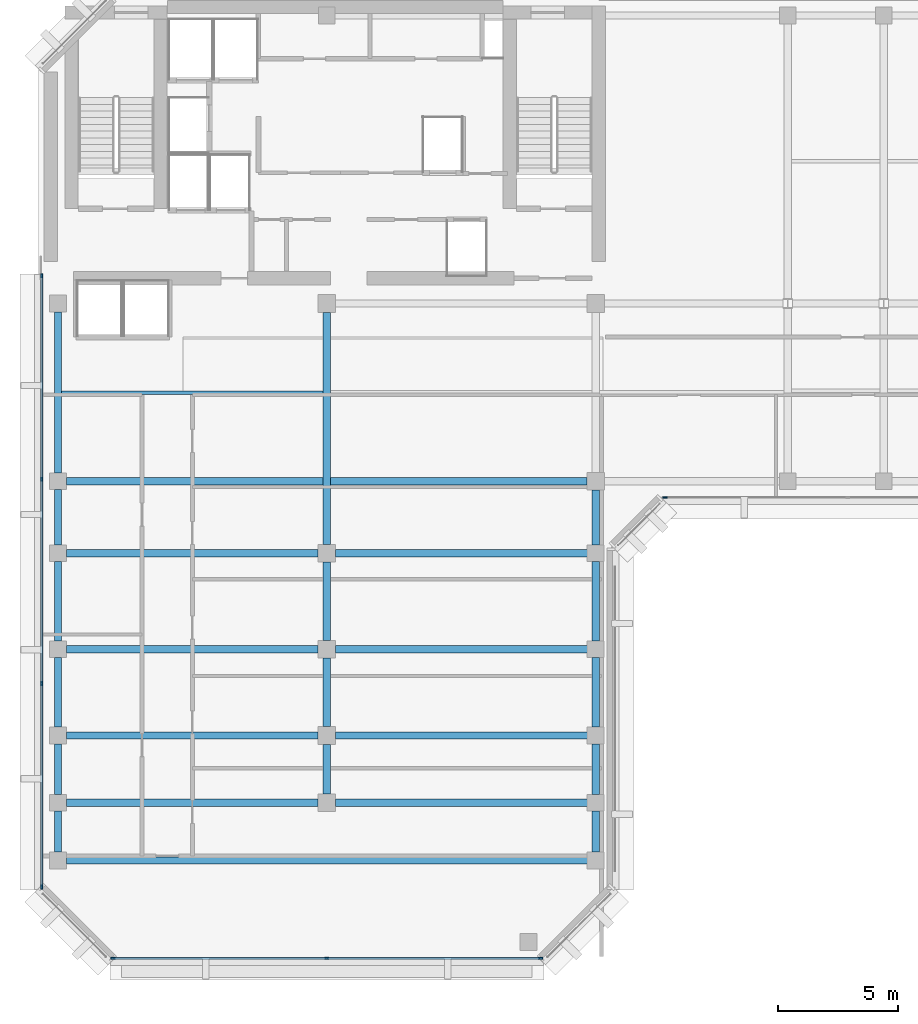
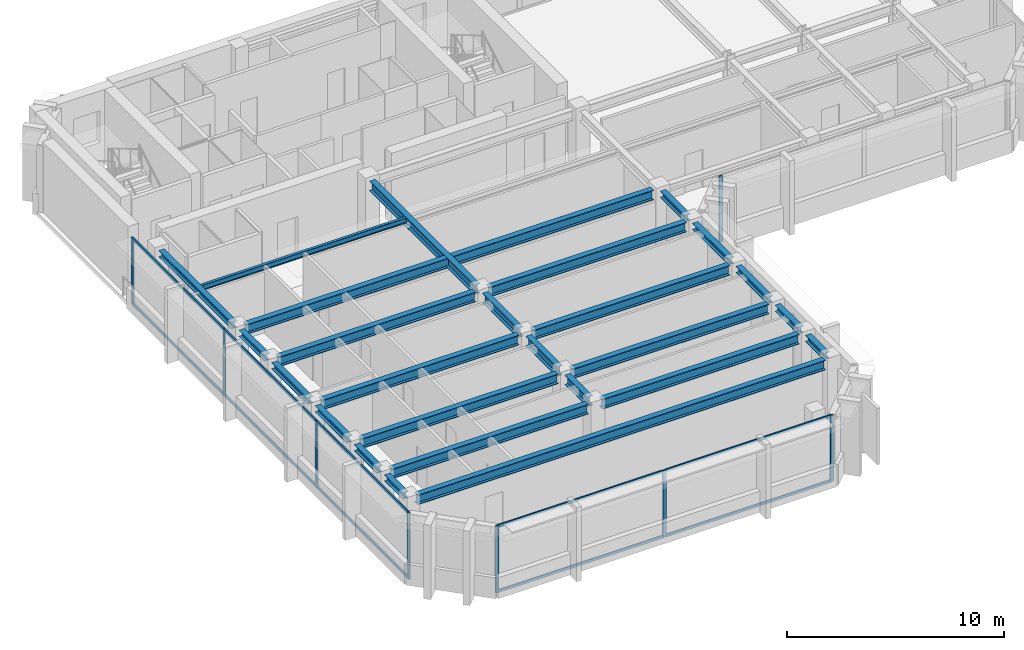
# One storey, part 2 of 11: 26 beams, 18 members, 3 elements without a shape of their own.
"""IFC4 building model written with IfcOpenShell, lengths in metres."""

from ifc_helpers import new_model, si_unit, direction, frame, origin, origin_2d, place, context, subcontext, project, spatial, rectangle, i_section, extrude, material, layer, layer_set, material_profile, profile_set, type_object, element, aggregate, save


model = new_model("IFC4")

# Units and contexts
model_context = context("Model", 3, precision=1e-05, world=origin(), true_north=direction((0.0, 1.0)))
body_context = subcontext(model_context, "Body", "Model", "MODEL_VIEW")
ifc_project = project(units=[si_unit("LENGTHUNIT", "METRE"), si_unit("AREAUNIT", "SQUARE_METRE"), si_unit("VOLUMEUNIT", "CUBIC_METRE"), si_unit("PLANEANGLEUNIT", "RADIAN"), si_unit("MASSUNIT", "GRAM", prefix="KILO")], contexts=[model_context])

# Site, building, storey
site_placement = place(None, origin())
site = spatial("IfcSite", under=ifc_project, at=site_placement, CompositionType="ELEMENT")
building_placement = place(site_placement, origin())
building = spatial("IfcBuilding", under=site, at=building_placement, Name="Kefirva Bronze Tower", CompositionType="ELEMENT")
storey_placement = place(building_placement, frame((0.0, 0.0, 331.64990234375)))
storey = spatial("IfcBuildingStorey", under=building, at=storey_placement, Name="L81", CompositionType="ELEMENT", Elevation=331.64990234375)

# Curtain wall, members
ifc_material_1 = material(Name="Bronze anodised aluminium", Category="aluminium")
ifc_layer = layer(ifc_material_1, 0.179931640625, Name="Bronze anodised aluminium")
ifc_layer_set = layer_set([ifc_layer], Name="Bronze anodised aluminium")
curtain_wall_type = type_object("IfcCurtainWallType", Name="Unitised Bronze Ribbon Curtain Wall Zone 4", PredefinedType="USERDEFINED", material=ifc_layer_set)
curtain_wall_1_placement = place(storey_placement, origin())
curtain_wall_1 = element("IfcCurtainWall", 1, at=curtain_wall_1_placement, inside=storey, type_object=curtain_wall_type, Name="L81 Curtain Wall 1", ObjectType="UNITISED CURTAIN WALL", PredefinedType="USERDEFINED")
ifc_material_profile_1 = material_profile(ifc_material_1, rectangle(XDim=0.074951171875, YDim=0.179931640625, at=origin_2d()), Name="ALU 75x180")
ifc_profile_set_1 = profile_set([ifc_material_profile_1], Name="Bronze anodised aluminium")
member_type_1 = type_object("IfcMemberType", Name="Bronze Mullion 75x180", PredefinedType="MULLION", material=ifc_profile_set_1)
member_1_placement = place(storey_placement, frame((3.092529296875, 5.919921875, 0.0), z_axis=(0.0, 0.0, 1.0), x_axis=(0.0, 1.0, 0.0)))
member_1 = element("IfcMember", 2, at=member_1_placement, type_object=member_type_1, Name="CW-04 mullion 1", PredefinedType="MULLION", context=body_context, shape_type="SweptSolid", body=[
    extrude(rectangle(XDim=0.074951171875, YDim=0.179931640625, at=origin_2d()), origin(), (0.0, 0.0, 1.0), 3.739990234375),
])
member_2_placement = place(storey_placement, frame((12.0, 5.919921875, 0.0), z_axis=(0.0, 0.0, 1.0), x_axis=(0.0, 1.0, 0.0)))
member_2 = element("IfcMember", 3, at=member_2_placement, type_object=member_type_1, Name="CW-04 mullion 2", PredefinedType="MULLION", context=body_context, shape_type="SweptSolid", body=[
    extrude(rectangle(XDim=0.074951171875, YDim=0.179931640625, at=origin_2d()), origin(), (0.0, 0.0, 1.0), 3.739990234375),
])
member_3_placement = place(storey_placement, frame((20.907470703125, 5.919921875, 0.0), z_axis=(0.0, 0.0, 1.0), x_axis=(0.0, 1.0, 0.0)))
member_3 = element("IfcMember", 4, at=member_3_placement, type_object=member_type_1, Name="CW-04 mullion 3", PredefinedType="MULLION", context=body_context, shape_type="SweptSolid", body=[
    extrude(rectangle(XDim=0.074951171875, YDim=0.179931640625, at=origin_2d()), origin(), (0.0, 0.0, 1.0), 3.739990234375),
])

# Curtain wall, member
curtain_wall_2_placement = place(storey_placement, origin())
curtain_wall_2 = element("IfcCurtainWall", 5, at=curtain_wall_2_placement, inside=storey, type_object=curtain_wall_type, Name="L81 Curtain Wall 2", ObjectType="UNITISED CURTAIN WALL", PredefinedType="USERDEFINED")
member_4_placement = place(storey_placement, frame((26.092529296875, 25.1201171875, 0.0), z_axis=(0.0, 0.0, 1.0), x_axis=(0.0, 1.0, 0.0)))
member_4 = element("IfcMember", 6, at=member_4_placement, type_object=member_type_1, Name="CW-04 mullion 1", PredefinedType="MULLION", context=body_context, shape_type="SweptSolid", body=[
    extrude(rectangle(XDim=0.074951171875, YDim=0.179931640625, at=origin_2d()), origin(), (0.0, 0.0, 1.0), 3.739990234375),
])
aggregate(curtain_wall_2, [member_4])

# Curtain wall, members
curtain_wall_3_placement = place(storey_placement, origin())
curtain_wall_3 = element("IfcCurtainWall", 7, at=curtain_wall_3_placement, inside=storey, type_object=curtain_wall_type, Name="L81 Curtain Wall 5", ObjectType="UNITISED CURTAIN WALL", PredefinedType="USERDEFINED")
member_5_placement = place(storey_placement, frame((0.1201171875, 34.357421875, 0.0), z_axis=(0.0, 0.0, 1.0), x_axis=(1.0, 0.0, 0.0)))
member_5 = element("IfcMember", 8, at=member_5_placement, type_object=member_type_1, Name="CW-04 mullion 1", PredefinedType="MULLION", context=body_context, shape_type="SweptSolid", body=[
    extrude(rectangle(XDim=0.074951171875, YDim=0.179931640625, at=origin_2d()), origin(), (0.0, 0.0, 1.0), 3.739990234375),
])
member_6_placement = place(storey_placement, frame((0.1201171875, 25.881591796875, 0.0), z_axis=(0.0, 0.0, 1.0), x_axis=(1.0, 0.0, 0.0)))
member_6 = element("IfcMember", 9, at=member_6_placement, type_object=member_type_1, Name="CW-04 mullion 2", PredefinedType="MULLION", context=body_context, shape_type="SweptSolid", body=[
    extrude(rectangle(XDim=0.074951171875, YDim=0.179931640625, at=origin_2d()), origin(), (0.0, 0.0, 1.0), 3.739990234375),
])
member_7_placement = place(storey_placement, frame((0.1201171875, 17.368408203125, 0.0), z_axis=(0.0, 0.0, 1.0), x_axis=(1.0, 0.0, 0.0)))
member_7 = element("IfcMember", 10, at=member_7_placement, type_object=member_type_1, Name="CW-04 mullion 3", PredefinedType="MULLION", context=body_context, shape_type="SweptSolid", body=[
    extrude(rectangle(XDim=0.074951171875, YDim=0.179931640625, at=origin_2d()), origin(), (0.0, 0.0, 1.0), 3.739990234375),
])
member_8_placement = place(storey_placement, frame((0.1201171875, 8.892578125, 0.0), z_axis=(0.0, 0.0, 1.0), x_axis=(1.0, 0.0, 0.0)))
member_8 = element("IfcMember", 11, at=member_8_placement, type_object=member_type_1, Name="CW-04 mullion 4", PredefinedType="MULLION", context=body_context, shape_type="SweptSolid", body=[
    extrude(rectangle(XDim=0.074951171875, YDim=0.179931640625, at=origin_2d()), origin(), (0.0, 0.0, 1.0), 3.739990234375),
])

# Member
ifc_material_profile_2 = material_profile(ifc_material_1, rectangle(XDim=0.074951171875, YDim=0.14990234375, at=origin_2d()), Name="ALU 75x150")
ifc_profile_set_2 = profile_set([ifc_material_profile_2], Name="Bronze anodised aluminium")
member_type_2 = type_object("IfcMemberType", Name="Bronze Transom 75x150", PredefinedType="USERDEFINED", material=ifc_profile_set_2)
member_9_placement = place(storey_placement, frame((3.1298828125, 5.919921875, 0.03759765625), z_axis=(1.0, 0.0, 0.0), x_axis=(0.0, 1.0, 0.0)))
member_9 = element("IfcMember", 12, at=member_9_placement, type_object=member_type_2, Name="CW-04 transom 1.1", ObjectType="TRANSOM", PredefinedType="USERDEFINED", context=body_context, shape_type="SweptSolid", body=[
    extrude(rectangle(XDim=0.074951171875, YDim=0.14990234375, at=origin_2d()), origin(), (0.0, 0.0, 1.0), 8.83251953125),
])

member_10_placement = place(storey_placement, frame((3.1298828125, 5.919921875, 3.70263671875), z_axis=(1.0, 0.0, 0.0), x_axis=(0.0, 1.0, 0.0)))
member_10 = element("IfcMember", 13, at=member_10_placement, type_object=member_type_2, Name="CW-04 transom 1.2", ObjectType="TRANSOM", PredefinedType="USERDEFINED", context=body_context, shape_type="SweptSolid", body=[
    extrude(rectangle(XDim=0.074951171875, YDim=0.14990234375, at=origin_2d()), origin(), (0.0, 0.0, 1.0), 8.83251953125),
])

member_11_placement = place(storey_placement, frame((12.03759765625, 5.919921875, 0.03759765625), z_axis=(1.0, 0.0, 0.0), x_axis=(0.0, 1.0, 0.0)))
member_11 = element("IfcMember", 14, at=member_11_placement, type_object=member_type_2, Name="CW-04 transom 2.1", ObjectType="TRANSOM", PredefinedType="USERDEFINED", context=body_context, shape_type="SweptSolid", body=[
    extrude(rectangle(XDim=0.074951171875, YDim=0.14990234375, at=origin_2d()), origin(), (0.0, 0.0, 1.0), 8.83251953125),
])

member_12_placement = place(storey_placement, frame((12.03759765625, 5.919921875, 3.70263671875), z_axis=(1.0, 0.0, 0.0), x_axis=(0.0, 1.0, 0.0)))
member_12 = element("IfcMember", 15, at=member_12_placement, type_object=member_type_2, Name="CW-04 transom 2.2", ObjectType="TRANSOM", PredefinedType="USERDEFINED", context=body_context, shape_type="SweptSolid", body=[
    extrude(rectangle(XDim=0.074951171875, YDim=0.14990234375, at=origin_2d()), origin(), (0.0, 0.0, 1.0), 8.83251953125),
])

aggregate(curtain_wall_1, [member_1, member_2, member_3, member_9, member_10, member_11, member_12])

member_13_placement = place(storey_placement, frame((0.1201171875, 34.320068359375, 0.03759765625), z_axis=(0.0, -1.0, 0.0), x_axis=(1.0, 0.0, 0.0)))
member_13 = element("IfcMember", 16, at=member_13_placement, type_object=member_type_2, Name="CW-04 transom 1.1", ObjectType="TRANSOM", PredefinedType="USERDEFINED", context=body_context, shape_type="SweptSolid", body=[
    extrude(rectangle(XDim=0.074951171875, YDim=0.14990234375, at=origin_2d()), origin(), (0.0, 0.0, 1.0), 8.40087890625),
])

member_14_placement = place(storey_placement, frame((0.1201171875, 34.320068359375, 3.70263671875), z_axis=(0.0, -1.0, 0.0), x_axis=(1.0, 0.0, 0.0)))
member_14 = element("IfcMember", 17, at=member_14_placement, type_object=member_type_2, Name="CW-04 transom 1.2", ObjectType="TRANSOM", PredefinedType="USERDEFINED", context=body_context, shape_type="SweptSolid", body=[
    extrude(rectangle(XDim=0.074951171875, YDim=0.14990234375, at=origin_2d()), origin(), (0.0, 0.0, 1.0), 8.40087890625),
])

member_15_placement = place(storey_placement, frame((0.1201171875, 25.84423828125, 0.03759765625), z_axis=(0.0, -1.0, 0.0), x_axis=(1.0, 0.0, 0.0)))
member_15 = element("IfcMember", 18, at=member_15_placement, type_object=member_type_2, Name="CW-04 transom 2.1", ObjectType="TRANSOM", PredefinedType="USERDEFINED", context=body_context, shape_type="SweptSolid", body=[
    extrude(rectangle(XDim=0.074951171875, YDim=0.14990234375, at=origin_2d()), origin(), (0.0, 0.0, 1.0), 8.4384765625),
])

member_16_placement = place(storey_placement, frame((0.1201171875, 25.84423828125, 3.70263671875), z_axis=(0.0, -1.0, 0.0), x_axis=(1.0, 0.0, 0.0)))
member_16 = element("IfcMember", 19, at=member_16_placement, type_object=member_type_2, Name="CW-04 transom 2.2", ObjectType="TRANSOM", PredefinedType="USERDEFINED", context=body_context, shape_type="SweptSolid", body=[
    extrude(rectangle(XDim=0.074951171875, YDim=0.14990234375, at=origin_2d()), origin(), (0.0, 0.0, 1.0), 8.4384765625),
])

member_17_placement = place(storey_placement, frame((0.1201171875, 17.330810546875, 0.03759765625), z_axis=(0.0, -1.0, 0.0), x_axis=(1.0, 0.0, 0.0)))
member_17 = element("IfcMember", 20, at=member_17_placement, type_object=member_type_2, Name="CW-04 transom 3.1", ObjectType="TRANSOM", PredefinedType="USERDEFINED", context=body_context, shape_type="SweptSolid", body=[
    extrude(rectangle(XDim=0.074951171875, YDim=0.14990234375, at=origin_2d()), origin(), (0.0, 0.0, 1.0), 8.40087890625),
])

member_18_placement = place(storey_placement, frame((0.1201171875, 17.330810546875, 3.70263671875), z_axis=(0.0, -1.0, 0.0), x_axis=(1.0, 0.0, 0.0)))
member_18 = element("IfcMember", 21, at=member_18_placement, type_object=member_type_2, Name="CW-04 transom 3.2", ObjectType="TRANSOM", PredefinedType="USERDEFINED", context=body_context, shape_type="SweptSolid", body=[
    extrude(rectangle(XDim=0.074951171875, YDim=0.14990234375, at=origin_2d()), origin(), (0.0, 0.0, 1.0), 8.40087890625),
])

aggregate(curtain_wall_3, [member_5, member_6, member_7, member_8, member_13, member_14, member_15, member_16, member_17, member_18])

# Beams
ifc_material_2 = material(Name="Steel S355", Category="steel")
ifc_material_profile_3 = material_profile(ifc_material_2, i_section(OverallWidth=0.14990234375, OverallDepth=0.300048828125, WebThickness=0.007080078125, FlangeThickness=0.0107421875, at=origin_2d()), Name="IPE 300")
ifc_profile_set_3 = profile_set([ifc_material_profile_3], Name="Steel S355")
beam_type_1 = type_object("IfcBeamType", Name="Steel Floor Joist IPE 300", PredefinedType="JOIST", material=ifc_profile_set_3)
beam_1_placement = place(storey_placement, frame((0.949951171875, 29.489990234375, 3.590087890625), z_axis=(1.0, 0.0, 0.0), x_axis=(0.0, 1.0, 0.0)))
element("IfcBeam", 22, at=beam_1_placement, inside=storey, type_object=beam_type_1, Name="L81 JST-L81-0-294", PredefinedType="JOIST", context=body_context, shape_type="SweptSolid", body=[
    extrude(i_section(OverallWidth=0.14990234375, OverallDepth=0.300048828125, WebThickness=0.007080078125, FlangeThickness=0.0107421875, at=origin_2d()), origin(), (0.0, 0.0, 1.0), 10.900146484375),
])
ifc_material_profile_4 = material_profile(ifc_material_2, i_section(OverallWidth=0.300048828125, OverallDepth=0.550048828125, WebThickness=0.014892578125, FlangeThickness=0.029052734375, at=origin_2d()), Name="HEB 550")
ifc_profile_set_4 = profile_set([ifc_material_profile_4], Name="Steel S355")
beam_type_2 = type_object("IfcBeamType", Name="Steel Girder HEB 550", PredefinedType="USERDEFINED", material=ifc_profile_set_4)
beam_2_placement = place(storey_placement, frame((1.14990234375, 10.0, 3.465087890625), z_axis=(1.0, 0.0, 0.0), x_axis=(0.0, 1.0, 0.0)))
element("IfcBeam", 23, at=beam_2_placement, inside=storey, type_object=beam_type_2, Name="L81 BM-L81-EW-0-100", ObjectType="GIRDER", PredefinedType="USERDEFINED", context=body_context, shape_type="SweptSolid", body=[
    extrude(i_section(OverallWidth=0.300048828125, OverallDepth=0.550048828125, WebThickness=0.014892578125, FlangeThickness=0.029052734375, at=origin_2d()), origin(), (0.0, 0.0, 1.0), 21.7001953125),
])
for number, where, z_axis, x_axis, name in (
    (24, (1.14990234375, 12.39990234375, 3.465087890625), (1.0, 0.0, 0.0), (0.0, 1.0, 0.0), "L81 BM-L81-EW-0-124"),
    (25, (12.3701171875, 12.39990234375, 3.465087890625), (1.0, 0.0, 0.0), (0.0, 1.0, 0.0), "L81 BM-L81-EW-12-124"),
    (26, (1.14990234375, 15.199951171875, 3.465087890625), (1.0, 0.0, 0.0), (0.0, 1.0, 0.0), "L81 BM-L81-EW-0-152"),
    (27, (12.3701171875, 15.199951171875, 3.465087890625), (1.0, 0.0, 0.0), (0.0, 1.0, 0.0), "L81 BM-L81-EW-12-152"),
    (28, (1.14990234375, 18.800048828125, 3.465087890625), (1.0, 0.0, 0.0), (0.0, 1.0, 0.0), "L81 BM-L81-EW-0-188"),
    (29, (12.3701171875, 18.800048828125, 3.465087890625), (1.0, 0.0, 0.0), (0.0, 1.0, 0.0), "L81 BM-L81-EW-12-188"),
    (30, (1.14990234375, 22.800048828125, 3.465087890625), (1.0, 0.0, 0.0), (0.0, 1.0, 0.0), "L81 BM-L81-EW-0-228"),
    (31, (12.3701171875, 22.800048828125, 3.465087890625), (1.0, 0.0, 0.0), (0.0, 1.0, 0.0), "L81 BM-L81-EW-12-228"),
):
    element("IfcBeam", number, at=place(storey_placement, frame(where, z_axis=z_axis, x_axis=x_axis)), inside=storey, type_object=beam_type_2, Name=name, ObjectType="GIRDER", PredefinedType="USERDEFINED", context=body_context, shape_type="SweptSolid", body=[
        extrude(i_section(OverallWidth=0.300048828125, OverallDepth=0.550048828125, WebThickness=0.014892578125, FlangeThickness=0.029052734375, at=origin_2d()), origin(), (0.0, 0.0, 1.0), 10.47998046875),
    ])
beam_3_placement = place(storey_placement, frame((1.14990234375, 25.800048828125, 3.465087890625), z_axis=(1.0, 0.0, 0.0), x_axis=(0.0, 1.0, 0.0)))
element("IfcBeam", 32, at=beam_3_placement, inside=storey, type_object=beam_type_2, Name="L81 BM-L81-EW-0-258", ObjectType="GIRDER", PredefinedType="USERDEFINED", context=body_context, shape_type="SweptSolid", body=[
    extrude(i_section(OverallWidth=0.300048828125, OverallDepth=0.550048828125, WebThickness=0.014892578125, FlangeThickness=0.029052734375, at=origin_2d()), origin(), (0.0, 0.0, 1.0), 21.68017578125),
])
beam_4_placement = place(storey_placement, frame((12.0, 12.77001953125, 3.465087890625), z_axis=(0.0, 1.0, 0.0), x_axis=(-1.0, 0.0, 0.0)))
element("IfcBeam", 33, at=beam_4_placement, inside=storey, type_object=beam_type_2, Name="L81 BM-L81-NS-120-12", ObjectType="GIRDER", PredefinedType="USERDEFINED", context=body_context, shape_type="SweptSolid", body=[
    extrude(i_section(OverallWidth=0.300048828125, OverallDepth=0.550048828125, WebThickness=0.014892578125, FlangeThickness=0.029052734375, at=origin_2d()), origin(), (0.0, 0.0, 1.0), 2.06005859375),
])
beam_5_placement = place(storey_placement, frame((12.0, 15.570068359375, 3.465087890625), z_axis=(0.0, 1.0, 0.0), x_axis=(-1.0, 0.0, 0.0)))
element("IfcBeam", 34, at=beam_5_placement, inside=storey, type_object=beam_type_2, Name="L81 BM-L81-NS-120-15", ObjectType="GIRDER", PredefinedType="USERDEFINED", context=body_context, shape_type="SweptSolid", body=[
    extrude(i_section(OverallWidth=0.300048828125, OverallDepth=0.550048828125, WebThickness=0.014892578125, FlangeThickness=0.029052734375, at=origin_2d()), origin(), (0.0, 0.0, 1.0), 2.85986328125),
])
beam_6_placement = place(storey_placement, frame((12.0, 19.169921875, 3.465087890625), z_axis=(0.0, 1.0, 0.0), x_axis=(-1.0, 0.0, 0.0)))
element("IfcBeam", 35, at=beam_6_placement, inside=storey, type_object=beam_type_2, Name="L81 BM-L81-NS-120-18", ObjectType="GIRDER", PredefinedType="USERDEFINED", context=body_context, shape_type="SweptSolid", body=[
    extrude(i_section(OverallWidth=0.300048828125, OverallDepth=0.550048828125, WebThickness=0.014892578125, FlangeThickness=0.029052734375, at=origin_2d()), origin(), (0.0, 0.0, 1.0), 3.260009765625),
])
beam_7_placement = place(storey_placement, frame((12.0, 23.169921875, 3.465087890625), z_axis=(0.0, 1.0, 0.0), x_axis=(-1.0, 0.0, 0.0)))
element("IfcBeam", 36, at=beam_7_placement, inside=storey, type_object=beam_type_2, Name="L81 BM-L81-NS-120-22", ObjectType="GIRDER", PredefinedType="USERDEFINED", context=body_context, shape_type="SweptSolid", body=[
    extrude(i_section(OverallWidth=0.300048828125, OverallDepth=0.550048828125, WebThickness=0.014892578125, FlangeThickness=0.029052734375, at=origin_2d()), origin(), (0.0, 0.0, 1.0), 9.66015625),
])
ifc_material_profile_5 = material_profile(ifc_material_2, i_section(OverallWidth=0.300048828125, OverallDepth=0.360107421875, WebThickness=0.012451171875, FlangeThickness=0.0224609375, at=origin_2d()), Name="HEB 360")
ifc_profile_set_5 = profile_set([ifc_material_profile_5], Name="Steel S355")
beam_type_3 = type_object("IfcBeamType", Name="Steel Spandrel HEB 360 Ext", PredefinedType="SPANDREL", material=ifc_profile_set_5)
beam_8_placement = place(storey_placement, frame((0.800048828125, 10.35009765625, 3.56005859375), z_axis=(0.0, 1.0, 0.0), x_axis=(-1.0, 0.0, 0.0)))
element("IfcBeam", 37, at=beam_8_placement, inside=storey, type_object=beam_type_3, Name="L81 BM-L81-NS-8-10", PredefinedType="SPANDREL", context=body_context, shape_type="SweptSolid", body=[
    extrude(i_section(OverallWidth=0.300048828125, OverallDepth=0.360107421875, WebThickness=0.012451171875, FlangeThickness=0.0224609375, at=origin_2d()), origin(), (0.0, 0.0, 1.0), 1.699951171875),
])
beam_9_placement = place(storey_placement, frame((0.800048828125, 12.75, 3.56005859375), z_axis=(0.0, 1.0, 0.0), x_axis=(-1.0, 0.0, 0.0)))
element("IfcBeam", 38, at=beam_9_placement, inside=storey, type_object=beam_type_3, Name="L81 BM-L81-NS-8-12", PredefinedType="SPANDREL", context=body_context, shape_type="SweptSolid", body=[
    extrude(i_section(OverallWidth=0.300048828125, OverallDepth=0.360107421875, WebThickness=0.012451171875, FlangeThickness=0.0224609375, at=origin_2d()), origin(), (0.0, 0.0, 1.0), 2.10009765625),
])
beam_10_placement = place(storey_placement, frame((0.800048828125, 15.550048828125, 3.56005859375), z_axis=(0.0, 1.0, 0.0), x_axis=(-1.0, 0.0, 0.0)))
element("IfcBeam", 39, at=beam_10_placement, inside=storey, type_object=beam_type_3, Name="L81 BM-L81-NS-8-15", PredefinedType="SPANDREL", context=body_context, shape_type="SweptSolid", body=[
    extrude(i_section(OverallWidth=0.300048828125, OverallDepth=0.360107421875, WebThickness=0.012451171875, FlangeThickness=0.0224609375, at=origin_2d()), origin(), (0.0, 0.0, 1.0), 2.89990234375),
])
beam_11_placement = place(storey_placement, frame((0.800048828125, 19.14990234375, 3.56005859375), z_axis=(0.0, 1.0, 0.0), x_axis=(-1.0, 0.0, 0.0)))
element("IfcBeam", 40, at=beam_11_placement, inside=storey, type_object=beam_type_3, Name="L81 BM-L81-NS-8-18", PredefinedType="SPANDREL", context=body_context, shape_type="SweptSolid", body=[
    extrude(i_section(OverallWidth=0.300048828125, OverallDepth=0.360107421875, WebThickness=0.012451171875, FlangeThickness=0.0224609375, at=origin_2d()), origin(), (0.0, 0.0, 1.0), 3.300048828125),
])
beam_12_placement = place(storey_placement, frame((0.800048828125, 23.14990234375, 3.56005859375), z_axis=(0.0, 1.0, 0.0), x_axis=(-1.0, 0.0, 0.0)))
element("IfcBeam", 41, at=beam_12_placement, inside=storey, type_object=beam_type_3, Name="L81 BM-L81-NS-8-22", PredefinedType="SPANDREL", context=body_context, shape_type="SweptSolid", body=[
    extrude(i_section(OverallWidth=0.300048828125, OverallDepth=0.360107421875, WebThickness=0.012451171875, FlangeThickness=0.0224609375, at=origin_2d()), origin(), (0.0, 0.0, 1.0), 2.300048828125),
])
beam_13_placement = place(storey_placement, frame((0.800048828125, 26.14990234375, 3.56005859375), z_axis=(0.0, 1.0, 0.0), x_axis=(-1.0, 0.0, 0.0)))
element("IfcBeam", 42, at=beam_13_placement, inside=storey, type_object=beam_type_3, Name="L81 BM-L81-NS-8-25", PredefinedType="SPANDREL", context=body_context, shape_type="SweptSolid", body=[
    extrude(i_section(OverallWidth=0.300048828125, OverallDepth=0.360107421875, WebThickness=0.012451171875, FlangeThickness=0.0224609375, at=origin_2d()), origin(), (0.0, 0.0, 1.0), 6.7001953125),
])
beam_14_placement = place(storey_placement, frame((23.199951171875, 10.35009765625, 3.56005859375), z_axis=(0.0, 1.0, 0.0), x_axis=(-1.0, 0.0, 0.0)))
element("IfcBeam", 43, at=beam_14_placement, inside=storey, type_object=beam_type_3, Name="L81 BM-L81-NS-232-10", PredefinedType="SPANDREL", context=body_context, shape_type="SweptSolid", body=[
    extrude(i_section(OverallWidth=0.300048828125, OverallDepth=0.360107421875, WebThickness=0.012451171875, FlangeThickness=0.0224609375, at=origin_2d()), origin(), (0.0, 0.0, 1.0), 1.699951171875),
])
beam_15_placement = place(storey_placement, frame((23.199951171875, 12.75, 3.56005859375), z_axis=(0.0, 1.0, 0.0), x_axis=(-1.0, 0.0, 0.0)))
element("IfcBeam", 44, at=beam_15_placement, inside=storey, type_object=beam_type_3, Name="L81 BM-L81-NS-232-12", PredefinedType="SPANDREL", context=body_context, shape_type="SweptSolid", body=[
    extrude(i_section(OverallWidth=0.300048828125, OverallDepth=0.360107421875, WebThickness=0.012451171875, FlangeThickness=0.0224609375, at=origin_2d()), origin(), (0.0, 0.0, 1.0), 2.10009765625),
])
beam_16_placement = place(storey_placement, frame((23.199951171875, 15.550048828125, 3.56005859375), z_axis=(0.0, 1.0, 0.0), x_axis=(-1.0, 0.0, 0.0)))
element("IfcBeam", 45, at=beam_16_placement, inside=storey, type_object=beam_type_3, Name="L81 BM-L81-NS-232-15", PredefinedType="SPANDREL", context=body_context, shape_type="SweptSolid", body=[
    extrude(i_section(OverallWidth=0.300048828125, OverallDepth=0.360107421875, WebThickness=0.012451171875, FlangeThickness=0.0224609375, at=origin_2d()), origin(), (0.0, 0.0, 1.0), 2.89990234375),
])
beam_17_placement = place(storey_placement, frame((23.199951171875, 19.14990234375, 3.56005859375), z_axis=(0.0, 1.0, 0.0), x_axis=(-1.0, 0.0, 0.0)))
element("IfcBeam", 46, at=beam_17_placement, inside=storey, type_object=beam_type_3, Name="L81 BM-L81-NS-232-18", PredefinedType="SPANDREL", context=body_context, shape_type="SweptSolid", body=[
    extrude(i_section(OverallWidth=0.300048828125, OverallDepth=0.360107421875, WebThickness=0.012451171875, FlangeThickness=0.0224609375, at=origin_2d()), origin(), (0.0, 0.0, 1.0), 3.300048828125),
])
beam_18_placement = place(storey_placement, frame((23.199951171875, 23.14990234375, 3.56005859375), z_axis=(0.0, 1.0, 0.0), x_axis=(-1.0, 0.0, 0.0)))
element("IfcBeam", 47, at=beam_18_placement, inside=storey, type_object=beam_type_3, Name="L81 BM-L81-NS-232-22", PredefinedType="SPANDREL", context=body_context, shape_type="SweptSolid", body=[
    extrude(i_section(OverallWidth=0.300048828125, OverallDepth=0.360107421875, WebThickness=0.012451171875, FlangeThickness=0.0224609375, at=origin_2d()), origin(), (0.0, 0.0, 1.0), 2.280029296875),
])

save(model, "model.ifc")
